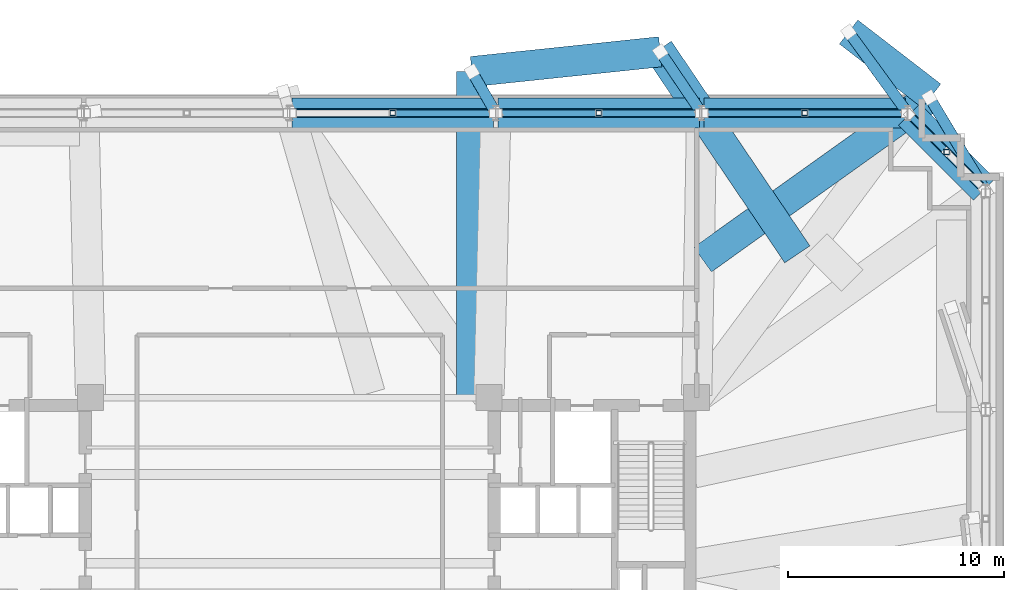
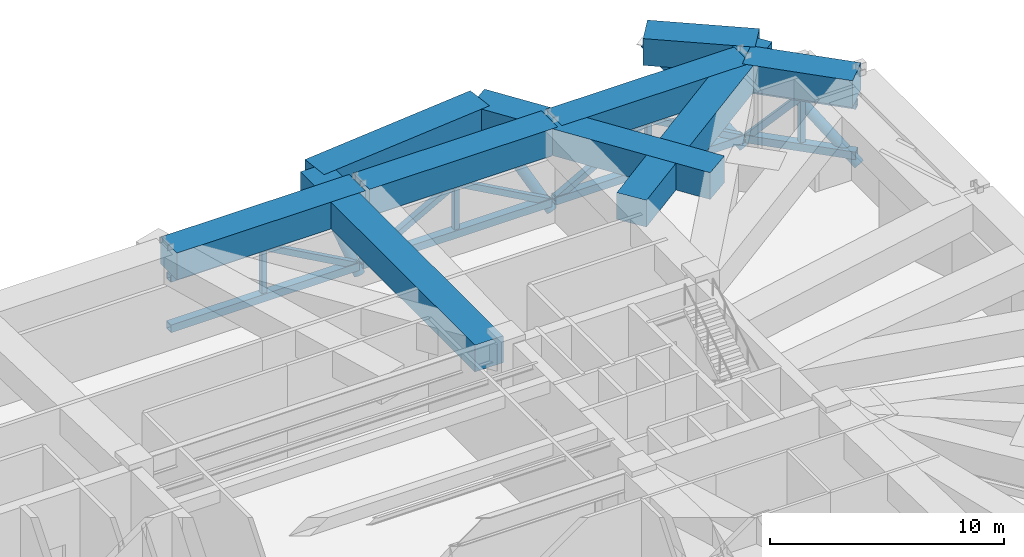
# One storey, part 10 of 20: 22 members, 9 beams.
"""IFC4 building model written with IfcOpenShell, lengths in metres."""

from ifc_helpers import new_model, si_unit, direction, frame, origin, origin_2d, place, context, subcontext, project, spatial, rectangle, hollow_rectangle, hollow_circle, extrude, material, material_profile, profile_set, type_object, element, save


model = new_model("IFC4")

# Units and contexts
model_context = context("Model", 3, precision=1e-05, world=origin(), true_north=direction((0.0, 1.0)))
body_context = subcontext(model_context, "Body", "Model", "MODEL_VIEW")
ifc_project = project(units=[si_unit("LENGTHUNIT", "METRE"), si_unit("AREAUNIT", "SQUARE_METRE"), si_unit("VOLUMEUNIT", "CUBIC_METRE"), si_unit("PLANEANGLEUNIT", "RADIAN"), si_unit("MASSUNIT", "GRAM", prefix="KILO")], contexts=[model_context])

# Site, building, storey
site_placement = place(None, origin())
site = spatial("IfcSite", under=ifc_project, at=site_placement, CompositionType="ELEMENT")
building_placement = place(site_placement, origin())
building = spatial("IfcBuilding", under=site, at=building_placement, Name="Qobustan Lattice House", CompositionType="ELEMENT")
storey_placement = place(building_placement, frame((0.0, 0.0, 73.89990234375)))
storey = spatial("IfcBuildingStorey", under=building, at=storey_placement, Name="L20", CompositionType="ELEMENT", Elevation=73.89990234375)

# Beams
ifc_material_1 = material(Name="Concrete C60/75", Category="concrete")
ifc_material_profile_1 = material_profile(ifc_material_1, rectangle(XDim=1.39990234375, YDim=1.39990234375, at=origin_2d()), Name="RC1400x1400")
ifc_profile_set_1 = profile_set([ifc_material_profile_1], Name="Concrete C60/75")
beam_type = type_object("IfcBeamType", Name="BM-TRG-RC1400", PredefinedType="USERDEFINED", material=ifc_profile_set_1)
beam_1_placement = place(storey_placement, frame((32.079345703125, 15.220703125, 4.1201171875), z_axis=(-0.70713173775, 0.707081823743, 0.0), x_axis=(-0.707081823743, -0.70713173775, 0.0)))
element("IfcBeam", 1, at=beam_1_placement, inside=storey, type_object=beam_type, Name="L20 TT1 lower perimeter transfer girder E4-N1", ObjectType="GIRDER", PredefinedType="USERDEFINED", context=body_context, shape_type="SweptSolid", body=[
    extrude(rectangle(XDim=1.39990234375, YDim=1.39990234375, at=origin_2d()), origin(), (0.0, 0.0, 1.0), 4.89111328125),
])
for number, where, z_axis, x_axis, name in (
    (2, (28.449951171875, 18.75, 4.1201171875), (-1.0, 0.0, 0.0), (0.0, -1.0, 0.0), "L20 TT1 lower perimeter transfer girder N1-N2"),
    (3, (18.933349609375, 18.75, 4.1201171875), (-1.0, 0.0, 0.0), (0.0, -1.0, 0.0), "L20 TT1 lower perimeter transfer girder N2-N3"),
    (4, (9.416748046875, 18.75, 4.1201171875), (-1.0, 0.0, 0.0), (0.0, -1.0, 0.0), "L20 TT1 lower perimeter transfer girder N3-N4"),
):
    element("IfcBeam", number, at=place(storey_placement, frame(where, z_axis=z_axis, x_axis=x_axis)), inside=storey, type_object=beam_type, Name=name, ObjectType="GIRDER", PredefinedType="USERDEFINED", context=body_context, shape_type="SweptSolid", body=[
        extrude(rectangle(XDim=1.39990234375, YDim=1.39990234375, at=origin_2d()), origin(), (0.0, 0.0, 1.0), 9.316650390625),
    ])
beam_2_placement = place(storey_placement, frame((19.07373046875, 11.978515625, 4.1201171875), z_axis=(0.813620553922, 0.581396245461, 0.0), x_axis=(-0.581396245461, 0.813620553922, 0.0)))
element("IfcBeam", 5, at=beam_2_placement, inside=storey, type_object=beam_type, Name="L20 TT1 primary column transfer girder E4", ObjectType="GIRDER", PredefinedType="USERDEFINED", context=body_context, shape_type="SweptSolid", body=[
    extrude(rectangle(XDim=1.39990234375, YDim=1.39990234375, at=origin_2d()), origin(), (0.0, 0.0, 1.0), 13.003662109375),
])
beam_3_placement = place(storey_placement, frame((29.65380859375, 19.538818359375, 4.1201171875), z_axis=(-0.791935520609, 0.610604725823, 0.0), x_axis=(-0.610604725823, -0.791935520609, 0.0)))
element("IfcBeam", 6, at=beam_3_placement, inside=storey, type_object=beam_type, Name="L20 TT1 corner transfer edge tie E4-N1", ObjectType="GIRDER", PredefinedType="USERDEFINED", context=body_context, shape_type="SweptSolid", body=[
    extrude(rectangle(XDim=1.39990234375, YDim=1.39990234375, at=origin_2d()), origin(), (0.0, 0.0, 1.0), 4.841552734375),
])
beam_4_placement = place(storey_placement, frame((23.451904296875, 12.222412109375, 4.1201171875), z_axis=(-0.560566862988, 0.828109166789, 0.0), x_axis=(-0.828109166789, -0.560566862988, 0.0)))
element("IfcBeam", 7, at=beam_4_placement, inside=storey, type_object=beam_type, Name="L20 TT1 primary column transfer girder N2", ObjectType="GIRDER", PredefinedType="USERDEFINED", context=body_context, shape_type="SweptSolid", body=[
    extrude(rectangle(XDim=1.39990234375, YDim=1.39990234375, at=origin_2d()), origin(), (0.0, 0.0, 1.0), 11.42041015625),
])
beam_5_placement = place(storey_placement, frame((8.415283203125, 5.719970703125, 4.1201171875), z_axis=(0.0, 1.0, 0.0), x_axis=(-1.0, 0.0, 0.0)))
element("IfcBeam", 8, at=beam_5_placement, inside=storey, type_object=beam_type, Name="L20 TT1 primary column transfer girder N3", ObjectType="GIRDER", PredefinedType="USERDEFINED", context=body_context, shape_type="SweptSolid", body=[
    extrude(rectangle(XDim=1.39990234375, YDim=1.39990234375, at=origin_2d()), origin(), (0.0, 0.0, 1.0), 14.94580078125),
])
beam_6_placement = place(storey_placement, frame((8.415283203125, 20.665771484375, 4.1201171875), z_axis=(0.994522868052, 0.104519208386, 0.0), x_axis=(-0.104519208386, 0.994522868052, 0.0)))
element("IfcBeam", 9, at=beam_6_placement, inside=storey, type_object=beam_type, Name="L20 TT1 corner transfer edge tie N3-N2", ObjectType="GIRDER", PredefinedType="USERDEFINED", context=body_context, shape_type="SweptSolid", body=[
    extrude(rectangle(XDim=1.39990234375, YDim=1.39990234375, at=origin_2d()), origin(), (0.0, 0.0, 1.0), 8.75),
])

# Members
ifc_material_2 = material(Name="Steel S355", Category="steel")
ifc_material_profile_2 = material_profile(ifc_material_2, hollow_rectangle(XDim=0.300048828125, YDim=0.300048828125, WallThickness=0.01611328125, at=origin_2d()), Name="SHS300x300x16")
ifc_profile_set_2 = profile_set([ifc_material_profile_2], Name="Steel S355")
member_type_1 = type_object("IfcMemberType", Name="MEM-BRC-SHS300", PredefinedType="BRACE", material=ifc_profile_set_2)
member_1_placement = place(storey_placement, frame((30.35009765625, 16.949951171875, 3.14013671875), z_axis=(-0.485498440745, 0.485429906239, -0.727082574515), x_axis=(-0.70705686718, -0.70715669167, 0.0)))
element("IfcMember", 10, at=member_1_placement, inside=storey, type_object=member_type_1, Name="L20 TT1 belt truss web diagonal E4-N1 B", PredefinedType="BRACE", context=body_context, shape_type="SweptSolid", body=[
    extrude(hollow_rectangle(XDim=0.300048828125, YDim=0.300048828125, WallThickness=0.01611328125, at=origin_2d()), origin(), (0.0, 0.0, 1.0), 3.562255859375),
])
member_2_placement = place(storey_placement, frame((28.449951171875, 18.75, 0.550048828125), z_axis=(-0.873993021838, 0.0, 0.485938471185), x_axis=(0.0, -1.0, 0.0)))
element("IfcMember", 11, at=member_2_placement, inside=storey, type_object=member_type_1, Name="L20 TT1 belt truss web diagonal N1-N2 A", PredefinedType="BRACE", context=body_context, shape_type="SweptSolid", body=[
    extrude(hollow_rectangle(XDim=0.300048828125, YDim=0.300048828125, WallThickness=0.01611328125, at=origin_2d()), origin(), (0.0, 0.0, 1.0), 5.330078125),
])
member_3_placement = place(storey_placement, frame((23.79150390625, 18.75, 3.14013671875), z_axis=(-0.873982205121, 0.0, -0.485957925269), x_axis=(0.0, -1.0, 0.0)))
element("IfcMember", 12, at=member_3_placement, inside=storey, type_object=member_type_1, Name="L20 TT1 belt truss web diagonal N1-N2 B", PredefinedType="BRACE", context=body_context, shape_type="SweptSolid", body=[
    extrude(hollow_rectangle(XDim=0.300048828125, YDim=0.300048828125, WallThickness=0.01611328125, at=origin_2d()), origin(), (0.0, 0.0, 1.0), 5.329833984375),
])
member_4_placement = place(storey_placement, frame((18.933349609375, 18.75, 0.550048828125), z_axis=(-0.873993021838, 0.0, 0.485938471185), x_axis=(0.0, -1.0, 0.0)))
element("IfcMember", 13, at=member_4_placement, inside=storey, type_object=member_type_1, Name="L20 TT1 belt truss web diagonal N2-N3 A", PredefinedType="BRACE", context=body_context, shape_type="SweptSolid", body=[
    extrude(hollow_rectangle(XDim=0.300048828125, YDim=0.300048828125, WallThickness=0.01611328125, at=origin_2d()), origin(), (0.0, 0.0, 1.0), 5.330078125),
])
member_5_placement = place(storey_placement, frame((14.27490234375, 18.75, 3.14013671875), z_axis=(-0.873982205121, 0.0, -0.485957925269), x_axis=(0.0, -1.0, 0.0)))
element("IfcMember", 14, at=member_5_placement, inside=storey, type_object=member_type_1, Name="L20 TT1 belt truss web diagonal N2-N3 B", PredefinedType="BRACE", context=body_context, shape_type="SweptSolid", body=[
    extrude(hollow_rectangle(XDim=0.300048828125, YDim=0.300048828125, WallThickness=0.01611328125, at=origin_2d()), origin(), (0.0, 0.0, 1.0), 5.329833984375),
])
member_6_placement = place(storey_placement, frame((9.416748046875, 18.75, 0.550048828125), z_axis=(-0.873993021838, 0.0, 0.485938471185), x_axis=(0.0, -1.0, 0.0)))
element("IfcMember", 15, at=member_6_placement, inside=storey, type_object=member_type_1, Name="L20 TT1 belt truss web diagonal N3-N4 A", PredefinedType="BRACE", context=body_context, shape_type="SweptSolid", body=[
    extrude(hollow_rectangle(XDim=0.300048828125, YDim=0.300048828125, WallThickness=0.01611328125, at=origin_2d()), origin(), (0.0, 0.0, 1.0), 5.330078125),
])
ifc_material_3 = material(Name="Steel S355", Category="steel")
ifc_material_profile_3 = material_profile(ifc_material_3, hollow_rectangle(XDim=0.35009765625, YDim=0.35009765625, WallThickness=0.01611328125, at=origin_2d()), Name="SHS350x350x16")
ifc_profile_set_3 = profile_set([ifc_material_profile_3], Name="Steel S355")
member_type_2 = type_object("IfcMemberType", Name="MEM-CHD-SHS350", PredefinedType="CHORD", material=ifc_profile_set_3)
member_7_placement = place(storey_placement, frame((32.079345703125, 15.220703125, 3.14013671875), z_axis=(-0.70713173775, 0.707081823743, 0.0), x_axis=(-0.707081823743, -0.70713173775, 0.0)))
element("IfcMember", 16, at=member_7_placement, inside=storey, type_object=member_type_2, Name="L20 TT1 belt truss top chord E4-N1", PredefinedType="CHORD", context=body_context, shape_type="SweptSolid", body=[
    extrude(hollow_rectangle(XDim=0.35009765625, YDim=0.35009765625, WallThickness=0.01611328125, at=origin_2d()), origin(), (0.0, 0.0, 1.0), 4.89111328125),
])
for number, where, z_axis, x_axis, name in (
    (17, (28.449951171875, 18.75, 3.14013671875), (-1.0, 0.0, 0.0), (0.0, -1.0, 0.0), "L20 TT1 belt truss top chord N1-N2"),
    (18, (18.933349609375, 18.75, 3.14013671875), (-1.0, 0.0, 0.0), (0.0, -1.0, 0.0), "L20 TT1 belt truss top chord N2-N3"),
    (19, (9.416748046875, 18.75, 3.14013671875), (-1.0, 0.0, 0.0), (0.0, -1.0, 0.0), "L20 TT1 belt truss top chord N3-N4"),
):
    element("IfcMember", number, at=place(storey_placement, frame(where, z_axis=z_axis, x_axis=x_axis)), inside=storey, type_object=member_type_2, Name=name, PredefinedType="CHORD", context=body_context, shape_type="SweptSolid", body=[
        extrude(hollow_rectangle(XDim=0.35009765625, YDim=0.35009765625, WallThickness=0.01611328125, at=origin_2d()), origin(), (0.0, 0.0, 1.0), 9.316650390625),
    ])
ifc_material_4 = material(Name="Steel S355", Category="steel")
ifc_material_profile_4 = material_profile(ifc_material_4, hollow_rectangle(XDim=0.39990234375, YDim=0.39990234375, WallThickness=0.02001953125, at=origin_2d()), Name="SHS400x400x20")
ifc_profile_set_4 = profile_set([ifc_material_profile_4], Name="Steel S355")
member_type_3 = type_object("IfcMemberType", Name="MEM-CHD-SHS400", PredefinedType="CHORD", material=ifc_profile_set_4)
member_8_placement = place(storey_placement, frame((32.079345703125, 15.220703125, 0.550048828125), z_axis=(-0.70713173775, 0.707081823743, 0.0), x_axis=(-0.707081823743, -0.70713173775, 0.0)))
element("IfcMember", 20, at=member_8_placement, inside=storey, type_object=member_type_3, Name="L20 TT1 belt truss bottom chord E4-N1", PredefinedType="CHORD", context=body_context, shape_type="SweptSolid", body=[
    extrude(hollow_rectangle(XDim=0.39990234375, YDim=0.39990234375, WallThickness=0.02001953125, at=origin_2d()), origin(), (0.0, 0.0, 1.0), 4.89111328125),
])
for number, where, z_axis, x_axis, name in (
    (21, (28.449951171875, 18.75, 0.550048828125), (-1.0, 0.0, 0.0), (0.0, -1.0, 0.0), "L20 TT1 belt truss bottom chord N1-N2"),
    (22, (18.933349609375, 18.75, 0.550048828125), (-1.0, 0.0, 0.0), (0.0, -1.0, 0.0), "L20 TT1 belt truss bottom chord N2-N3"),
    (23, (9.416748046875, 18.75, 0.550048828125), (-1.0, 0.0, 0.0), (0.0, -1.0, 0.0), "L20 TT1 belt truss bottom chord N3-N4"),
):
    element("IfcMember", number, at=place(storey_placement, frame(where, z_axis=z_axis, x_axis=x_axis)), inside=storey, type_object=member_type_3, Name=name, PredefinedType="CHORD", context=body_context, shape_type="SweptSolid", body=[
        extrude(hollow_rectangle(XDim=0.39990234375, YDim=0.39990234375, WallThickness=0.02001953125, at=origin_2d()), origin(), (0.0, 0.0, 1.0), 9.316650390625),
    ])
ifc_material_5 = material(Name="Steel S355", Category="steel")
ifc_material_profile_5 = material_profile(ifc_material_5, hollow_rectangle(XDim=0.25, YDim=0.25, WallThickness=0.012451171875, at=origin_2d()), Name="SHS250x250x12.5")
ifc_profile_set_5 = profile_set([ifc_material_profile_5], Name="Steel S355")
member_type_4 = type_object("IfcMemberType", Name="MEM-PST-SHS250", PredefinedType="POST", material=ifc_profile_set_5)
for number, where, z_axis, x_axis, name in (
    (24, (30.35009765625, 16.949951171875, 0.550048828125), (0.0, 0.0, 1.0), (1.0, 0.0, 0.0), "L20 TT1 belt truss vertical post E4-N1"),
    (25, (23.79150390625, 18.75, 0.550048828125), (0.0, 0.0, 1.0), (1.0, 0.0, 0.0), "L20 TT1 belt truss vertical post N1-N2"),
    (26, (14.27490234375, 18.75, 0.550048828125), (0.0, 0.0, 1.0), (1.0, 0.0, 0.0), "L20 TT1 belt truss vertical post N2-N3"),
    (27, (4.75830078125, 18.75, 0.550048828125), (0.0, 0.0, 1.0), (1.0, 0.0, 0.0), "L20 TT1 belt truss vertical post N3-N4"),
):
    element("IfcMember", number, at=place(storey_placement, frame(where, z_axis=z_axis, x_axis=x_axis)), inside=storey, type_object=member_type_4, Name=name, PredefinedType="POST", context=body_context, shape_type="SweptSolid", body=[
        extrude(hollow_rectangle(XDim=0.25, YDim=0.25, WallThickness=0.012451171875, at=origin_2d()), origin(), (0.0, 0.0, 1.0), 2.590087890625),
    ])
ifc_material_6 = material(Name="Steel S355", Category="steel")
ifc_material_profile_6 = material_profile(ifc_material_6, hollow_circle(Radius=0.25390625, WallThickness=0.02001953125, at=origin_2d()), Name="CHS508x20")
ifc_profile_set_6 = profile_set([ifc_material_profile_6], Name="Steel S355")
member_type_5 = type_object("IfcMemberType", Name="MEM-STR-CHS508", PredefinedType="STRUT", material=ifc_profile_set_6)
member_9_placement = place(storey_placement, frame((32.14990234375, 15.14990234375, 0.01513671875), z_axis=(-0.39911896576, 0.664609716045, 0.631662866179), x_axis=(-0.857291897101, -0.514830654842, 0.0)))
element("IfcMember", 28, at=member_9_placement, inside=storey, type_object=member_type_5, Name="L20 TT1 column transfer strut E4", PredefinedType="STRUT", context=body_context, shape_type="SweptSolid", body=[
    extrude(hollow_circle(Radius=0.25390625, WallThickness=0.02001953125, at=origin_2d()), origin(), (0.0, 0.0, 1.0), 6.498779296875),
])
member_10_placement = place(storey_placement, frame((28.550048828125, 18.75, 0.01513671875), z_axis=(-0.441016851899, 0.604899723546, 0.663023725665), x_axis=(-0.808043053776, -0.589123436339, 0.0)))
element("IfcMember", 29, at=member_10_placement, inside=storey, type_object=member_type_5, Name="L20 TT1 column transfer strut N1", PredefinedType="STRUT", context=body_context, shape_type="SweptSolid", body=[
    extrude(hollow_circle(Radius=0.25390625, WallThickness=0.02001953125, at=origin_2d()), origin(), (0.0, 0.0, 1.0), 6.19140625),
])
member_11_placement = place(storey_placement, frame((19.033203125, 18.75, 0.01513671875), z_axis=(-0.358657034978, 0.529872691029, 0.768505082978), x_axis=(-0.828128347451, -0.560538526908, 0.0)))
element("IfcMember", 30, at=member_11_placement, inside=storey, type_object=member_type_5, Name="L20 TT1 column transfer strut N2", PredefinedType="STRUT", context=body_context, shape_type="SweptSolid", body=[
    extrude(hollow_circle(Radius=0.25390625, WallThickness=0.02001953125, at=origin_2d()), origin(), (0.0, 0.0, 1.0), 5.341552734375),
])
member_12_placement = place(storey_placement, frame((9.5166015625, 18.75, 0.01513671875), z_axis=(-0.236234637548, 0.410936200585, 0.880525204109), x_axis=(-0.866955234946, -0.498386015654, 0.0)))
element("IfcMember", 31, at=member_12_placement, inside=storey, type_object=member_type_5, Name="L20 TT1 column transfer strut N3", PredefinedType="STRUT", context=body_context, shape_type="SweptSolid", body=[
    extrude(hollow_circle(Radius=0.25390625, WallThickness=0.02001953125, at=origin_2d()), origin(), (0.0, 0.0, 1.0), 4.661865234375),
])

save(model, "model.ifc")
